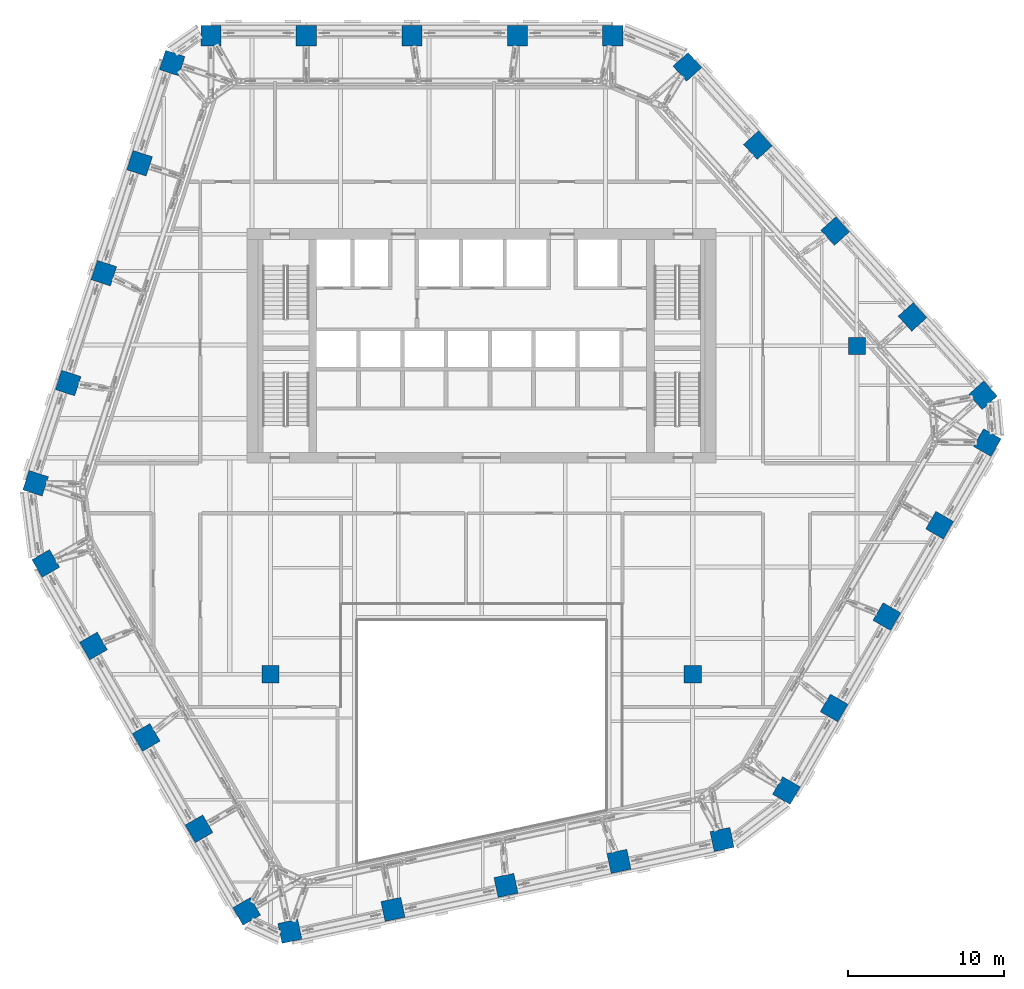
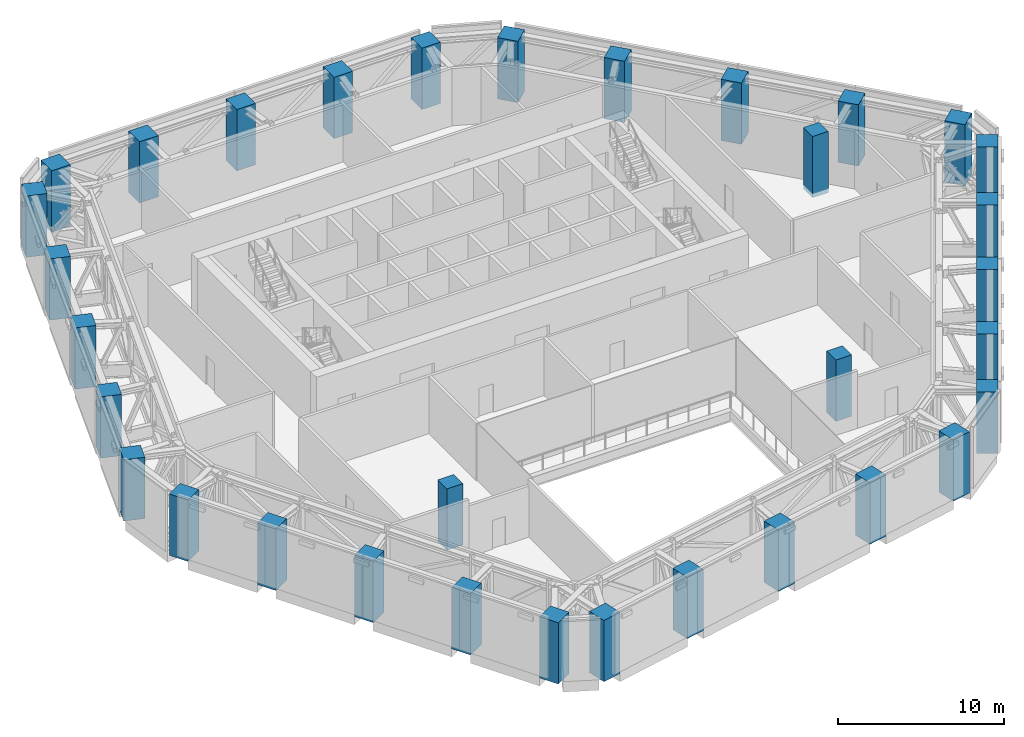
# One storey, part 1 of 26: 33 columns.
"""IFC4 building model written with IfcOpenShell, lengths in metres."""

from ifc_helpers import new_model, si_unit, direction, frame, origin, origin_2d, place, context, subcontext, project, spatial, rectangle, extrude, material, material_profile, profile_set, type_object, element, save


model = new_model("IFC4")

# Units and contexts
model_context = context("Model", 3, precision=1e-05, world=origin(), true_north=direction((0.0, 1.0)))
body_context = subcontext(model_context, "Body", "Model", "MODEL_VIEW")
ifc_project = project(units=[si_unit("LENGTHUNIT", "METRE"), si_unit("AREAUNIT", "SQUARE_METRE"), si_unit("VOLUMEUNIT", "CUBIC_METRE"), si_unit("PLANEANGLEUNIT", "RADIAN"), si_unit("MASSUNIT", "GRAM", prefix="KILO")], contexts=[model_context])

# Site, building, storey
site_placement = place(None, origin())
site = spatial("IfcSite", under=ifc_project, at=site_placement, CompositionType="ELEMENT")
building_placement = place(site_placement, origin())
building = spatial("IfcBuilding", under=site, at=building_placement, Name="Isthmus Gate Tower", CompositionType="ELEMENT")
storey_placement = place(building_placement, frame((0.0, 0.0, 207.300048828125)))
storey = spatial("IfcBuildingStorey", under=building, at=storey_placement, Name="L52", CompositionType="ELEMENT", Elevation=207.300048828125)

# Columns
ifc_material_1 = material(Name="Concrete f'c 60 MPa", Category="concrete")
ifc_material_profile_1 = material_profile(ifc_material_1, rectangle(XDim=1.10009765625, YDim=1.10009765625, at=origin_2d()), Name="RC 1100X1100")
ifc_profile_set_1 = profile_set([ifc_material_profile_1], Name="Concrete f'c 60 MPa")
column_type_1 = type_object("IfcColumnType", Name="RC INTERIOR COLUMN 1100 X 1100", PredefinedType="COLUMN", material=ifc_profile_set_1)
for number, where, z_axis, x_axis, name in (
    (1, (-13.5, -13.5, -0.300048828125), (0.0, 0.0, 1.0), (1.0, 0.0, 0.0), "str-icol-L52-ICB2"),
    (2, (13.5, -13.5, -0.300048828125), (0.0, 0.0, 1.0), (1.0, 0.0, 0.0), "str-icol-L52-ICD2"),
    (3, (24.0, 7.5, -0.300048828125), (0.0, 0.0, 1.0), (1.0, 0.0, 0.0), "str-icol-L52-ICE3"),
):
    element("IfcColumn", number, at=place(storey_placement, frame(where, z_axis=z_axis, x_axis=x_axis)), inside=storey, type_object=column_type_1, Name=name, PredefinedType="COLUMN", context=body_context, shape_type="SweptSolid", body=[
        extrude(rectangle(XDim=1.10009765625, YDim=1.10009765625, at=origin_2d()), origin(), (0.0, 0.0, 1.0), 4.5),
    ])
ifc_material_2 = material(Name="Concrete f'c 60 MPa", Category="concrete")
ifc_material_profile_2 = material_profile(ifc_material_2, rectangle(XDim=1.300048828125, YDim=1.300048828125, at=origin_2d()), Name="RC 1300X1300")
ifc_profile_set_2 = profile_set([ifc_material_profile_2], Name="Concrete f'c 60 MPa")
column_type_2 = type_object("IfcColumnType", Name="RC TUBE COLUMN 1300 X 1300", PredefinedType="COLUMN", material=ifc_profile_set_2)
for number, where, z_axis, x_axis, name in (
    (4, (8.388671875, 27.35009765625, -0.300048828125), (0.0, 0.0, 1.0), (-1.0, 0.0, 0.0), "str-tcol-L52-T2N0"),
    (5, (2.288330078125, 27.35009765625, -0.300048828125), (0.0, 0.0, 1.0), (-1.0, 0.0, 0.0), "str-tcol-L52-T2N1"),
    (6, (-4.461669921875, 27.35009765625, -0.300048828125), (0.0, 0.0, 1.0), (-1.0, 0.0, 0.0), "str-tcol-L52-T2N2"),
    (7, (-11.2119140625, 27.35009765625, -0.300048828125), (0.0, 0.0, 1.0), (-1.0, 0.0, 0.0), "str-tcol-L52-T2N3"),
    (8, (-17.31201171875, 27.35009765625, -0.300048828125), (0.0, 0.0, 1.0), (-1.0, 0.0, 0.0), "str-tcol-L52-T2N4"),
    (9, (-19.797607421875, 25.595947265625, -0.300048828125), (0.0, 0.0, 1.0), (-0.309016994375, -0.951056516295, 0.0), "str-tcol-L52-T2NW0"),
    (10, (-21.880615234375, 19.18505859375, -0.300048828125), (0.0, 0.0, 1.0), (-0.309016994375, -0.951056516295, 0.0), "str-tcol-L52-T2NW1"),
    (11, (-24.164306640625, 12.156005859375, -0.300048828125), (0.0, 0.0, 1.0), (-0.309016994375, -0.951056516295, 0.0), "str-tcol-L52-T2NW2"),
    (12, (-26.4482421875, 5.126953125, -0.300048828125), (0.0, 0.0, 1.0), (-0.309016994375, -0.951056516295, 0.0), "str-tcol-L52-T2NW3"),
    (13, (-28.53125, -1.283935546875, -0.300048828125), (0.0, 0.0, 1.0), (-0.309016994375, -0.951056516295, 0.0), "str-tcol-L52-T2NW4"),
    (14, (-27.880126953125, -6.410400390625, -0.300048828125), (0.0, 0.0, 1.0), (0.5, -0.866025403784, 0.0), "str-tcol-L52-T2SW0"),
    (15, (-24.830078125, -11.693115234375, -0.300048828125), (0.0, 0.0, 1.0), (0.5, -0.866025403784, 0.0), "str-tcol-L52-T2SW1"),
    (16, (-21.454833984375, -17.5390625, -0.300048828125), (0.0, 0.0, 1.0), (0.5, -0.866025403784, 0.0), "str-tcol-L52-T2SW2"),
    (17, (-18.079833984375, -23.384765625, -0.300048828125), (0.0, 0.0, 1.0), (0.5, -0.866025403784, 0.0), "str-tcol-L52-T2SW3"),
    (18, (-15.02978515625, -28.667724609375, -0.300048828125), (0.0, 0.0, 1.0), (0.5, -0.866025403784, 0.0), "str-tcol-L52-T2SW4"),
    (19, (-12.267822265625, -29.943115234375, -0.300048828125), (0.0, 0.0, 1.0), (0.978147600734, 0.207911690818, 0.0), "str-tcol-L52-T2S0"),
    (20, (-5.674560546875, -28.54150390625, -0.300048828125), (0.0, 0.0, 1.0), (0.978147600734, 0.207911690818, 0.0), "str-tcol-L52-T2S1"),
    (21, (1.554931640625, -27.0048828125, -0.300048828125), (0.0, 0.0, 1.0), (0.978147600734, 0.207911690818, 0.0), "str-tcol-L52-T2S2"),
    (22, (8.7841796875, -25.46826171875, -0.300048828125), (0.0, 0.0, 1.0), (0.978147600734, 0.207911690818, 0.0), "str-tcol-L52-T2S3"),
    (23, (15.377685546875, -24.06689453125, -0.300048828125), (0.0, 0.0, 1.0), (0.978147600734, 0.207911690818, 0.0), "str-tcol-L52-T2S4"),
    (24, (19.491455078125, -20.939697265625, -0.300048828125), (0.0, 0.0, 1.0), (0.5, 0.866025403784, 0.0), "str-tcol-L52-T2SE0"),
    (25, (22.54150390625, -15.65673828125, -0.300048828125), (0.0, 0.0, 1.0), (0.5, 0.866025403784, 0.0), "str-tcol-L52-T2SE1"),
    (26, (25.916748046875, -9.81103515625, -0.300048828125), (0.0, 0.0, 1.0), (0.5, 0.866025403784, 0.0), "str-tcol-L52-T2SE2"),
    (27, (29.291748046875, -3.96533203125, -0.300048828125), (0.0, 0.0, 1.0), (0.5, 0.866025403784, 0.0), "str-tcol-L52-T2SE3"),
    (28, (32.341796875, 1.317626953125, -0.300048828125), (0.0, 0.0, 1.0), (0.5, 0.866025403784, 0.0), "str-tcol-L52-T2SE4"),
    (29, (32.0654296875, 4.34716796875, -0.300048828125), (0.0, 0.0, 1.0), (-0.669130606359, 0.743144825477, 0.0), "str-tcol-L52-T2NE0"),
    (30, (27.554931640625, 9.356689453125, -0.300048828125), (0.0, 0.0, 1.0), (-0.669130606359, 0.743144825477, 0.0), "str-tcol-L52-T2NE1"),
    (31, (22.609619140625, 14.84912109375, -0.300048828125), (0.0, 0.0, 1.0), (-0.669130606359, 0.743144825477, 0.0), "str-tcol-L52-T2NE2"),
    (32, (17.6640625, 20.341552734375, -0.300048828125), (0.0, 0.0, 1.0), (-0.669130606359, 0.743144825477, 0.0), "str-tcol-L52-T2NE3"),
    (33, (13.15380859375, 25.350830078125, -0.300048828125), (0.0, 0.0, 1.0), (-0.669130606359, 0.743144825477, 0.0), "str-tcol-L52-T2NE4"),
):
    element("IfcColumn", number, at=place(storey_placement, frame(where, z_axis=z_axis, x_axis=x_axis)), inside=storey, type_object=column_type_2, Name=name, PredefinedType="COLUMN", context=body_context, shape_type="SweptSolid", body=[
        extrude(rectangle(XDim=1.300048828125, YDim=1.300048828125, at=origin_2d()), origin(), (0.0, 0.0, 1.0), 4.5),
    ])

save(model, "model.ifc")
